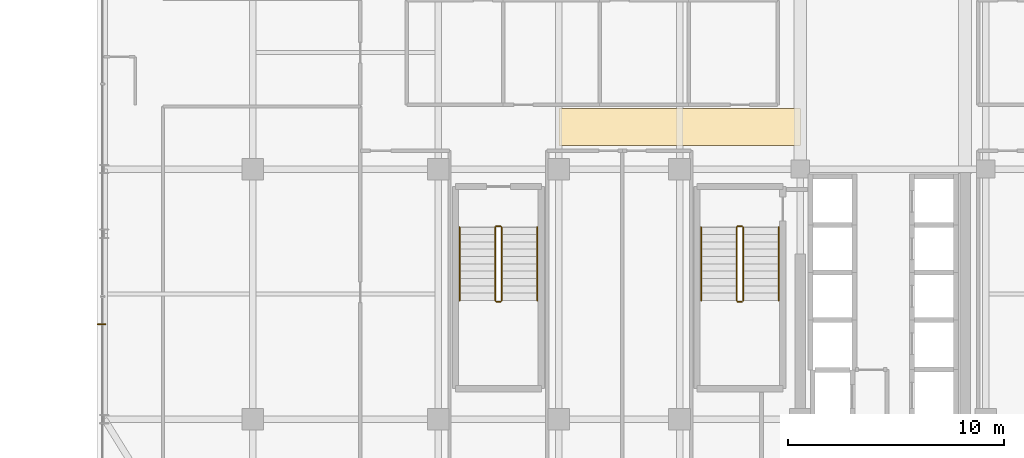
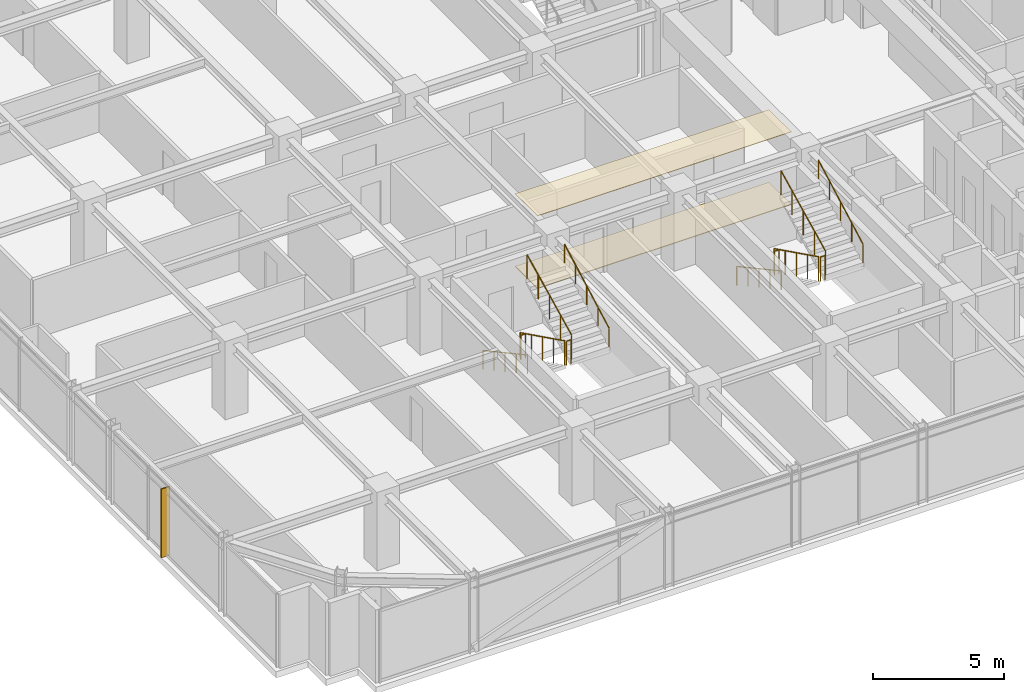
# One storey, part 33 of 36: 12 railings, 2 coverings, 1 shading device.
"""IFC4 building model written with IfcOpenShell, lengths in metres."""

from ifc_helpers import new_model, si_unit, direction, frame, origin, origin_2d, place, context, subcontext, project, spatial, polyline, rectangle, circle, outline, extrude, source, transform, mapped, material, layer, layer_set, type_object, element, save


model = new_model("IFC4")

# Units and contexts
model_context = context("Model", 3, precision=1e-05, world=origin(), true_north=direction((0.0, 1.0)))
body_context = subcontext(model_context, "Body", "Model", "MODEL_VIEW")
ifc_project = project(units=[si_unit("LENGTHUNIT", "METRE"), si_unit("AREAUNIT", "SQUARE_METRE"), si_unit("VOLUMEUNIT", "CUBIC_METRE"), si_unit("PLANEANGLEUNIT", "RADIAN"), si_unit("MASSUNIT", "GRAM", prefix="KILO")], contexts=[model_context])

# Site, building, storey
site_placement = place(None, origin())
site = spatial("IfcSite", under=ifc_project, at=site_placement, CompositionType="ELEMENT")
building_placement = place(site_placement, origin())
building = spatial("IfcBuilding", under=site, at=building_placement, Name="Nahalor Promenade Grand Hotel", CompositionType="ELEMENT")
storey_placement = place(building_placement, frame((0.0, 0.0, 241.89990234375)))
storey = spatial("IfcBuildingStorey", under=building, at=storey_placement, Name="L62", CompositionType="ELEMENT", Elevation=241.89990234375)

# Coverings
ifc_material_1 = material(Name="Acoustic Mineral Gypsum", Category="gypsum")
ifc_layer_1 = layer(ifc_material_1, 0.02490234375)
ifc_layer_set_1 = layer_set([ifc_layer_1], Name="Acoustic Mineral Gypsum")
covering_type_1 = type_object("IfcCoveringType", Name="Acoustic Suspended Ceiling Tile", PredefinedType="CEILING", material=ifc_layer_set_1)
covering_1_placement = place(storey_placement, frame((0.0, 0.0, 3.385009765625)))
element("IfcCovering", 1, at=covering_1_placement, inside=storey, type_object=covering_type_1, Name="CV-CEIL-L62", PredefinedType="CEILING", context=body_context, shape_type="SweptSolid", body=[
    extrude(outline(polyline([(-2.800048828125, -4.300048828125), (8.39990234375, -4.300048828125), (8.39990234375, -2.60009765625), (-2.800048828125, -2.60009765625), (-2.800048828125, -4.300048828125)])), origin(), (0.0, 0.0, 1.0), 0.025146484375),
])
ifc_material_2 = material(Name="Jerusalem Limestone Flooring", Category="masonry")
ifc_layer_2 = layer(ifc_material_2, 0.030029296875)
ifc_layer_set_2 = layer_set([ifc_layer_2], Name="Jerusalem Limestone Flooring")
covering_type_2 = type_object("IfcCoveringType", Name="Honed Limestone Floor Finish", PredefinedType="FLOORING", material=ifc_layer_set_2)
covering_2_placement = place(storey_placement, origin())
element("IfcCovering", 2, at=covering_2_placement, inside=storey, type_object=covering_type_2, Name="CV-FLOR-L62", PredefinedType="FLOORING", context=body_context, shape_type="SweptSolid", body=[
    extrude(outline(polyline([(-2.800048828125, -4.300048828125), (8.39990234375, -4.300048828125), (8.39990234375, -2.60009765625), (-2.800048828125, -2.60009765625), (-2.800048828125, -4.300048828125)])), origin(), (0.0, 0.0, 1.0), 0.030029296875),
])

# Railings
ifc_material_3 = material(Name="Steel S355JR", Category="steel")
railing_type_1 = type_object("IfcRailingType", Name="Steel Stair Guardrail 1150 mm", PredefinedType="GUARDRAIL", material=ifc_material_3)
railing_1_placement = place(storey_placement, frame((5.449951171875, -8.10009765625, 0.168212890625)))
element("IfcRailing", 3, at=railing_1_placement, inside=storey, type_object=railing_type_1, Name="L62 ST2 stair guard 1", PredefinedType="GUARDRAIL", context=body_context, shape_type="SweptSolid", body=[
    extrude(circle(Radius=0.024048, at=origin_2d()), frame((0.0, 0.0, 1.1259765625), z_axis=(0.0, -0.896324230515, 0.443399226197), x_axis=(1.0, 0.0, 0.0)), (0.0, 0.0, 1.0), 3.793212890625),
    extrude(circle(Radius=0.020996, at=origin_2d()), origin(), (0.0, 0.0, 1.0), 1.099853515625),
    extrude(circle(Radius=0.020996, at=origin_2d()), frame((0.0, -0.85009765625, 0.42041015625)), (0.0, 0.0, 1.0), 1.099853515625),
    extrude(circle(Radius=0.020996, at=origin_2d()), frame((0.0, -1.699951171875, 0.8408203125)), (0.0, 0.0, 1.0), 1.099853515625),
    extrude(circle(Radius=0.020996, at=origin_2d()), frame((0.0, -2.5498046875, 1.261474609375)), (0.0, 0.0, 1.0), 1.099853515625),
    extrude(circle(Radius=0.020996, at=origin_2d()), frame((0.0, -3.39990234375, 1.681884765625)), (0.0, 0.0, 1.0), 1.099853515625),
])
railing_2_placement = place(storey_placement, frame((5.5, -11.550048828125, 1.85009765625)))
element("IfcRailing", 4, at=railing_2_placement, inside=storey, type_object=railing_type_1, Name="L62 ST2 stair guard 2", PredefinedType="GUARDRAIL", context=body_context, shape_type="SweptSolid", body=[
    extrude(circle(Radius=0.024048, at=origin_2d()), frame((0.0, 0.0, 1.1259765625), z_axis=(1.0, 0.0, 0.0), x_axis=(0.0, 1.0, 0.0)), (0.0, 0.0, 1.0), 0.199951171875),
    extrude(circle(Radius=0.020996, at=origin_2d()), origin(), (0.0, 0.0, 1.0), 1.099853515625),
    extrude(circle(Radius=0.020996, at=origin_2d()), frame((0.199951171875, 0.0, 0.0)), (0.0, 0.0, 1.0), 1.099853515625),
])
railing_3_placement = place(storey_placement, frame((5.75, -11.5, 2.018310546875)))
element("IfcRailing", 5, at=railing_3_placement, inside=storey, type_object=railing_type_1, Name="L62 ST2 stair guard 3", PredefinedType="GUARDRAIL", context=body_context, shape_type="SweptSolid", body=[
    extrude(circle(Radius=0.024048, at=origin_2d()), frame((0.0, 0.0, 1.1259765625), z_axis=(0.0, 0.896324230515, 0.443399226197), x_axis=(-1.0, 0.0, 0.0)), (0.0, 0.0, 1.0), 3.793212890625),
    extrude(circle(Radius=0.020996, at=origin_2d()), origin(), (0.0, 0.0, 1.0), 1.099853515625),
    extrude(circle(Radius=0.020996, at=origin_2d()), frame((0.0, 0.85009765625, 0.42041015625)), (0.0, 0.0, 1.0), 1.099853515625),
    extrude(circle(Radius=0.020996, at=origin_2d()), frame((0.0, 1.699951171875, 0.8408203125)), (0.0, 0.0, 1.0), 1.099853515625),
    extrude(circle(Radius=0.020996, at=origin_2d()), frame((0.0, 2.5498046875, 1.261474609375)), (0.0, 0.0, 1.0), 1.099853515625),
    extrude(circle(Radius=0.020996, at=origin_2d()), frame((0.0, 3.39990234375, 1.681884765625)), (0.0, 0.0, 1.0), 1.099853515625),
])
railing_4_placement = place(storey_placement, frame((5.5, -8.050048828125, 0.0)))
element("IfcRailing", 6, at=railing_4_placement, inside=storey, type_object=railing_type_1, Name="L62 ST2 stair guard 4", PredefinedType="GUARDRAIL", context=body_context, shape_type="SweptSolid", body=[
    extrude(circle(Radius=0.024048, at=origin_2d()), frame((0.0, 0.0, 1.1259765625), z_axis=(1.0, 0.0, 0.0), x_axis=(0.0, 1.0, 0.0)), (0.0, 0.0, 1.0), 0.199951171875),
    extrude(circle(Radius=0.020996, at=origin_2d()), origin(), (0.0, 0.0, 1.0), 1.099853515625),
    extrude(circle(Radius=0.020996, at=origin_2d()), frame((0.199951171875, 0.0, 0.0)), (0.0, 0.0, 1.0), 1.099853515625),
])
railing_5_placement = place(storey_placement, frame((-5.75, -8.10009765625, 0.168212890625)))
element("IfcRailing", 7, at=railing_5_placement, inside=storey, type_object=railing_type_1, Name="L62 ST3 stair guard 1", PredefinedType="GUARDRAIL", context=body_context, shape_type="SweptSolid", body=[
    extrude(circle(Radius=0.024048, at=origin_2d()), frame((0.0, 0.0, 1.1259765625), z_axis=(0.0, -0.896324230515, 0.443399226197), x_axis=(1.0, 0.0, 0.0)), (0.0, 0.0, 1.0), 3.793212890625),
    extrude(circle(Radius=0.020996, at=origin_2d()), origin(), (0.0, 0.0, 1.0), 1.099853515625),
    extrude(circle(Radius=0.020996, at=origin_2d()), frame((0.0, -0.85009765625, 0.42041015625)), (0.0, 0.0, 1.0), 1.099853515625),
    extrude(circle(Radius=0.020996, at=origin_2d()), frame((0.0, -1.699951171875, 0.8408203125)), (0.0, 0.0, 1.0), 1.099853515625),
    extrude(circle(Radius=0.020996, at=origin_2d()), frame((0.0, -2.5498046875, 1.261474609375)), (0.0, 0.0, 1.0), 1.099853515625),
    extrude(circle(Radius=0.020996, at=origin_2d()), frame((0.0, -3.39990234375, 1.681884765625)), (0.0, 0.0, 1.0), 1.099853515625),
])
railing_6_placement = place(storey_placement, frame((-5.699951171875, -11.550048828125, 1.85009765625)))
element("IfcRailing", 8, at=railing_6_placement, inside=storey, type_object=railing_type_1, Name="L62 ST3 stair guard 2", PredefinedType="GUARDRAIL", context=body_context, shape_type="SweptSolid", body=[
    extrude(circle(Radius=0.024048, at=origin_2d()), frame((0.0, 0.0, 1.1259765625), z_axis=(1.0, 0.0, 0.0), x_axis=(0.0, 1.0, 0.0)), (0.0, 0.0, 1.0), 0.199951171875),
    extrude(circle(Radius=0.020996, at=origin_2d()), origin(), (0.0, 0.0, 1.0), 1.099853515625),
    extrude(circle(Radius=0.020996, at=origin_2d()), frame((0.199951171875, 0.0, 0.0)), (0.0, 0.0, 1.0), 1.099853515625),
])
railing_7_placement = place(storey_placement, frame((-5.449951171875, -11.5, 2.018310546875)))
element("IfcRailing", 9, at=railing_7_placement, inside=storey, type_object=railing_type_1, Name="L62 ST3 stair guard 3", PredefinedType="GUARDRAIL", context=body_context, shape_type="SweptSolid", body=[
    extrude(circle(Radius=0.024048, at=origin_2d()), frame((0.0, 0.0, 1.1259765625), z_axis=(0.0, 0.896324230515, 0.443399226197), x_axis=(-1.0, 0.0, 0.0)), (0.0, 0.0, 1.0), 3.793212890625),
    extrude(circle(Radius=0.020996, at=origin_2d()), origin(), (0.0, 0.0, 1.0), 1.099853515625),
    extrude(circle(Radius=0.020996, at=origin_2d()), frame((0.0, 0.85009765625, 0.42041015625)), (0.0, 0.0, 1.0), 1.099853515625),
    extrude(circle(Radius=0.020996, at=origin_2d()), frame((0.0, 1.699951171875, 0.8408203125)), (0.0, 0.0, 1.0), 1.099853515625),
    extrude(circle(Radius=0.020996, at=origin_2d()), frame((0.0, 2.5498046875, 1.261474609375)), (0.0, 0.0, 1.0), 1.099853515625),
    extrude(circle(Radius=0.020996, at=origin_2d()), frame((0.0, 3.39990234375, 1.681884765625)), (0.0, 0.0, 1.0), 1.099853515625),
])
railing_8_placement = place(storey_placement, frame((-5.699951171875, -8.050048828125, 0.0)))
element("IfcRailing", 10, at=railing_8_placement, inside=storey, type_object=railing_type_1, Name="L62 ST3 stair guard 4", PredefinedType="GUARDRAIL", context=body_context, shape_type="SweptSolid", body=[
    extrude(circle(Radius=0.024048, at=origin_2d()), frame((0.0, 0.0, 1.1259765625), z_axis=(1.0, 0.0, 0.0), x_axis=(0.0, 1.0, 0.0)), (0.0, 0.0, 1.0), 0.199951171875),
    extrude(circle(Radius=0.020996, at=origin_2d()), origin(), (0.0, 0.0, 1.0), 1.099853515625),
    extrude(circle(Radius=0.020996, at=origin_2d()), frame((0.199951171875, 0.0, 0.0)), (0.0, 0.0, 1.0), 1.099853515625),
])
railing_type_2 = type_object("IfcRailingType", Name="Steel Stair Handrail 900 mm", PredefinedType="HANDRAIL", material=ifc_material_3)
railing_9_placement = place(storey_placement, frame((3.800048828125, -8.10009765625, 0.168212890625)))
element("IfcRailing", 11, at=railing_9_placement, inside=storey, type_object=railing_type_2, Name="L62 ST2 stair handrail 1", PredefinedType="HANDRAIL", context=body_context, shape_type="SweptSolid", body=[
    extrude(circle(Radius=0.024048, at=origin_2d()), frame((0.0, 0.0, 0.8759765625), z_axis=(0.0, -0.87837241229, 0.47797688786), x_axis=(1.0, 0.0, 0.0)), (0.0, 0.0, 1.0), 3.87060546875),
    extrude(circle(Radius=0.020996, at=origin_2d()), origin(), (0.0, 0.0, 1.0), 0.849853515625),
    extrude(circle(Radius=0.020996, at=origin_2d()), frame((0.0, -0.85009765625, 0.46240234375)), (0.0, 0.0, 1.0), 0.849853515625),
    extrude(circle(Radius=0.020996, at=origin_2d()), frame((0.0, -1.699951171875, 0.925048828125)), (0.0, 0.0, 1.0), 0.849853515625),
    extrude(circle(Radius=0.020996, at=origin_2d()), frame((0.0, -2.5498046875, 1.3876953125)), (0.0, 0.0, 1.0), 0.849853515625),
    extrude(circle(Radius=0.020996, at=origin_2d()), frame((0.0, -3.39990234375, 1.85009765625)), (0.0, 0.0, 1.0), 0.849853515625),
])
railing_10_placement = place(storey_placement, frame((7.39990234375, -11.5, 2.018310546875)))
element("IfcRailing", 12, at=railing_10_placement, inside=storey, type_object=railing_type_2, Name="L62 ST2 stair handrail 2", PredefinedType="HANDRAIL", context=body_context, shape_type="SweptSolid", body=[
    extrude(circle(Radius=0.024048, at=origin_2d()), frame((0.0, 0.0, 0.8759765625), z_axis=(0.0, 0.878398892953, 0.47792822145), x_axis=(-1.0, 0.0, 0.0)), (0.0, 0.0, 1.0), 3.87060546875),
    extrude(circle(Radius=0.020996, at=origin_2d()), origin(), (0.0, 0.0, 1.0), 0.849853515625),
    extrude(circle(Radius=0.020996, at=origin_2d()), frame((0.0, 0.85009765625, 0.46240234375)), (0.0, 0.0, 1.0), 0.849853515625),
    extrude(circle(Radius=0.020996, at=origin_2d()), frame((0.0, 1.699951171875, 0.9248046875)), (0.0, 0.0, 1.0), 0.849853515625),
    extrude(circle(Radius=0.020996, at=origin_2d()), frame((0.0, 2.5498046875, 1.387451171875)), (0.0, 0.0, 1.0), 0.849853515625),
    extrude(circle(Radius=0.020996, at=origin_2d()), frame((0.0, 3.39990234375, 1.849853515625)), (0.0, 0.0, 1.0), 0.849853515625),
])
railing_11_placement = place(storey_placement, frame((-7.39990234375, -8.10009765625, 0.168212890625)))
element("IfcRailing", 13, at=railing_11_placement, inside=storey, type_object=railing_type_2, Name="L62 ST3 stair handrail 1", PredefinedType="HANDRAIL", context=body_context, shape_type="SweptSolid", body=[
    extrude(circle(Radius=0.024048, at=origin_2d()), frame((0.0, 0.0, 0.8759765625), z_axis=(0.0, -0.87837241229, 0.47797688786), x_axis=(1.0, 0.0, 0.0)), (0.0, 0.0, 1.0), 3.87060546875),
    extrude(circle(Radius=0.020996, at=origin_2d()), origin(), (0.0, 0.0, 1.0), 0.849853515625),
    extrude(circle(Radius=0.020996, at=origin_2d()), frame((0.0, -0.85009765625, 0.46240234375)), (0.0, 0.0, 1.0), 0.849853515625),
    extrude(circle(Radius=0.020996, at=origin_2d()), frame((0.0, -1.699951171875, 0.925048828125)), (0.0, 0.0, 1.0), 0.849853515625),
    extrude(circle(Radius=0.020996, at=origin_2d()), frame((0.0, -2.5498046875, 1.3876953125)), (0.0, 0.0, 1.0), 0.849853515625),
    extrude(circle(Radius=0.020996, at=origin_2d()), frame((0.0, -3.39990234375, 1.85009765625)), (0.0, 0.0, 1.0), 0.849853515625),
])
railing_12_placement = place(storey_placement, frame((-3.800048828125, -11.5, 2.018310546875)))
element("IfcRailing", 14, at=railing_12_placement, inside=storey, type_object=railing_type_2, Name="L62 ST3 stair handrail 2", PredefinedType="HANDRAIL", context=body_context, shape_type="SweptSolid", body=[
    extrude(circle(Radius=0.024048, at=origin_2d()), frame((0.0, 0.0, 0.8759765625), z_axis=(0.0, 0.878398892953, 0.47792822145), x_axis=(-1.0, 0.0, 0.0)), (0.0, 0.0, 1.0), 3.87060546875),
    extrude(circle(Radius=0.020996, at=origin_2d()), origin(), (0.0, 0.0, 1.0), 0.849853515625),
    extrude(circle(Radius=0.020996, at=origin_2d()), frame((0.0, 0.85009765625, 0.46240234375)), (0.0, 0.0, 1.0), 0.849853515625),
    extrude(circle(Radius=0.020996, at=origin_2d()), frame((0.0, 1.699951171875, 0.9248046875)), (0.0, 0.0, 1.0), 0.849853515625),
    extrude(circle(Radius=0.020996, at=origin_2d()), frame((0.0, 2.5498046875, 1.387451171875)), (0.0, 0.0, 1.0), 0.849853515625),
    extrude(circle(Radius=0.020996, at=origin_2d()), frame((0.0, 3.39990234375, 1.849853515625)), (0.0, 0.0, 1.0), 0.849853515625),
])

# Shading device
ifc_material_4 = material(Name="Anodised Bronze Aluminium EN AW-6063 T6", Category="aluminium")
ifc_layer_3 = layer(ifc_material_4, 0.06005859375)
ifc_layer_set_3 = layer_set([ifc_layer_3], Name="Anodised Bronze Aluminium EN AW-6063 T6")
shading_device_type = type_object("IfcShadingDeviceType", Name="Shade-SolarFin-Bronze", PredefinedType="JALOUSIE", material=ifc_layer_set_3)
shared_shape = source(origin(), body_context, "Body", "SweptSolid", [
    extrude(rectangle(XDim=0.3798828125, YDim=0.06005859375, at=origin_2d()), origin(), (0.0, 0.0, 1.0), 3.199951171875),
])
shading_device_placement = place(storey_placement, frame((-24.010009765625, -12.60009765625, 0.0), z_axis=(0.0, 0.0, 1.0), x_axis=(1.0, 0.0, 0.0)))
element("IfcShadingDevice", 15, at=shading_device_placement, inside=storey, type_object=shading_device_type, Name="JAL-L62-W1", PredefinedType="JALOUSIE", context=body_context, shape_type="MappedRepresentation", body=[
    mapped(shared_shape, transform((0.0, 0.0, 0.0), scale=1.0)),
])

save(model, "model.ifc")
